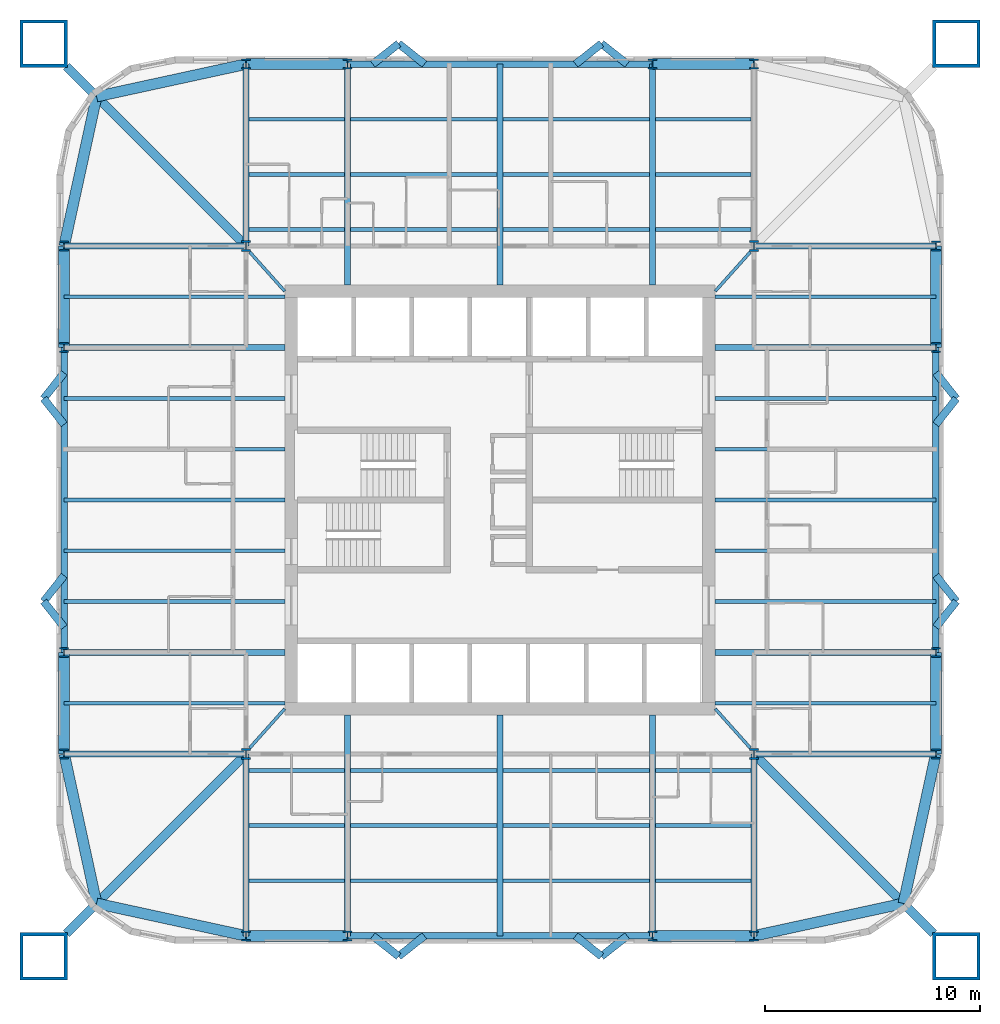
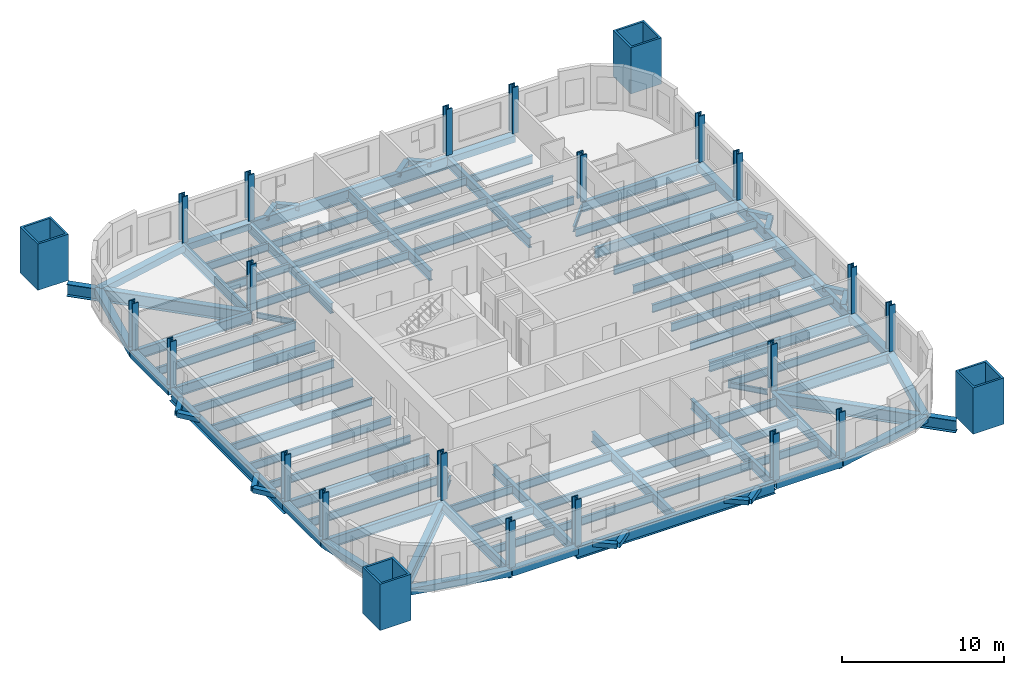
# One storey, part 1 of 9: 96 beams, 24 columns.
"""IFC4 building model written with IfcOpenShell, lengths in metres."""

import ifcopenshell
import ifcopenshell.guid

model = None  # the IFC model being written
_history = None  # IfcOwnerHistory: only IFC2X3 demands one
_inside = {}  # id of a spatial element -> (the spatial element, [elements in it])
_under = {}  # id of a project, library or spatial element -> (it, [spatial elements below it])
_declared = {}  # id of a project -> (the project, [libraries it declares])
_typed = {}  # id of a type object -> (the type object, [elements of that type])
_made_of = {}  # id of a material, layer set ... -> (it, [elements and type objects made of it])


def new_model(schema):
    """Start an empty IFC model of exactly this schema.

    Asked for "IFC4X3", IfcOpenShell would pick the latest addendum, in which some entities
    have other attributes; the version numbers below select the first issue.
    IFC2X3 requires an IfcOwnerHistory on every rooted entity: one is made here for all.
    """
    global model, _history
    if schema == "IFC4X3":
        model = ifcopenshell.file(schema_version=(4, 3, 0, 0))
    else:
        model = ifcopenshell.file(schema=schema)
    _inside.clear()
    _under.clear()
    _declared.clear()
    _typed.clear()
    _made_of.clear()
    _history = None
    if model.schema == "IFC2X3":
        org = make("IfcOrganization", Name="unknown")
        user = make(
            "IfcPersonAndOrganization",
            ThePerson=make("IfcPerson", FamilyName="unknown"),
            TheOrganization=org,
        )
        app = make(
            "IfcApplication",
            ApplicationDeveloper=org,
            Version="unknown",
            ApplicationFullName="unknown",
            ApplicationIdentifier="unknown",
        )
        _history = make(
            "IfcOwnerHistory",
            OwningUser=user,
            OwningApplication=app,
            ChangeAction="ADDED",
            CreationDate=0,
        )
    return model


def make(cls, **values):
    """One entity of the class cls with the attributes given. An attribute that is None is left unset."""
    return model.create_entity(
        cls, **{name: value for name, value in values.items() if value is not None}
    )


def rooted(cls, **values):
    """An entity with a GlobalId (a new one), such as an element, a storey or a relation."""
    return make(cls, GlobalId=ifcopenshell.guid.new(), OwnerHistory=_history, **values)


def si_unit(unit_type, name, prefix=None):
    """IfcSIUnit, for example si_unit("LENGTHUNIT", "METRE", prefix="MILLI")."""
    return make("IfcSIUnit", UnitType=unit_type, Prefix=prefix, Name=name)


def assignment(units):
    """IfcUnitAssignment: the units of a project."""
    return None if units is None else make("IfcUnitAssignment", Units=units)


def point(xyz):
    """IfcCartesianPoint."""
    return None if xyz is None else make("IfcCartesianPoint", Coordinates=xyz)


def direction(xyz):
    """IfcDirection."""
    return None if xyz is None else make("IfcDirection", DirectionRatios=xyz)


def frame(location, z_axis=None, x_axis=None):
    """IfcAxis2Placement3D, a coordinate frame: its origin and axes. An axis left out is left unset."""
    return make(
        "IfcAxis2Placement3D",
        Location=point(location),
        Axis=direction(z_axis),
        RefDirection=direction(x_axis),
    )


def frame_2d(location, x_axis=None):
    """IfcAxis2Placement2D, a coordinate frame in the plane: its origin and x axis."""
    return make(
        "IfcAxis2Placement2D", Location=point(location), RefDirection=direction(x_axis)
    )


def origin():
    """The frame at (0, 0, 0) with its axes left unset."""
    return frame((0.0, 0.0, 0.0))


def origin_2d():
    """The frame at (0, 0) in the plane with its x axis left unset."""
    return frame_2d((0.0, 0.0))


def place(relative_to, where):
    """IfcLocalPlacement: puts the frame where relative to a parent placement (None: the world)."""
    return make(
        "IfcLocalPlacement", PlacementRelTo=relative_to, RelativePlacement=where
    )


def context(
    kind, dimensions, precision=None, world=None, true_north=None, identifier=None
):
    """IfcGeometricRepresentationContext, for example the 3D "Model" context."""
    return make(
        "IfcGeometricRepresentationContext",
        ContextIdentifier=identifier,
        ContextType=kind,
        CoordinateSpaceDimension=dimensions,
        Precision=precision,
        WorldCoordinateSystem=world,
        TrueNorth=true_north,
    )


def subcontext(parent, identifier, kind, view, scale=None):
    """IfcGeometricRepresentationSubContext, for example "Body" below "Model"."""
    return make(
        "IfcGeometricRepresentationSubContext",
        ContextIdentifier=identifier,
        ContextType=kind,
        ParentContext=parent,
        TargetScale=scale,
        TargetView=view,
    )


def project(units=None, contexts=None):
    """IfcProject with its units and contexts."""
    return rooted(
        "IfcProject",
        Name="project",
        RepresentationContexts=contexts,
        UnitsInContext=assignment(units),
    )


def spatial(cls, under=None, at=None, **own):
    """A site, building, storey or space (cls), placed at a placement, below another one or the project."""
    s = rooted(cls, ObjectPlacement=at, **own)
    if under is not None:
        _under.setdefault(under.id(), (under, []))[1].append(s)
    return s


def profile(cls, at=None, kind="AREA", **sizes):
    """A parametric profile (cls). Its sizes go by their IFC names, for example OverallWidth=200.0."""
    return make(cls, ProfileType=kind, Position=at, **sizes)


def hollow_rectangle(**sizes):
    """IfcRectangleHollowProfileDef."""
    return profile("IfcRectangleHollowProfileDef", **sizes)


def i_section(**sizes):
    """IfcIShapeProfileDef."""
    return profile("IfcIShapeProfileDef", **sizes)


def extrude(swept, where, along, depth):
    """IfcExtrudedAreaSolid: the profile swept, set in the frame where, extruded along a direction by depth."""
    return make(
        "IfcExtrudedAreaSolid",
        SweptArea=swept,
        Position=where,
        ExtrudedDirection=direction(along),
        Depth=depth,
    )


def shape(context_of_items, identifier, shape_type, items):
    """IfcShapeRepresentation: the items that make up one representation, for example the "Body"."""
    return make(
        "IfcShapeRepresentation",
        ContextOfItems=context_of_items,
        RepresentationIdentifier=identifier,
        RepresentationType=shape_type,
        Items=items,
    )


def material(Name=None, Category=None):
    """IfcMaterial."""
    return make("IfcMaterial", Name=Name, Category=Category)


def material_profile(
    of_material, cross_section, Name=None, Category=None, Priority=None
):
    """IfcMaterialProfile: a cross section and its material."""
    return make(
        "IfcMaterialProfile",
        Name=Name,
        Material=of_material,
        Profile=cross_section,
        Priority=Priority,
        Category=Category,
    )


def profile_set(profiles, Name=None, composite=None):
    """IfcMaterialProfileSet."""
    return make(
        "IfcMaterialProfileSet",
        Name=Name,
        MaterialProfiles=profiles,
        CompositeProfile=composite,
    )


def made_of(thing, what):
    """Note that an element or type object is made of a material, layer set ...; save() writes the relation."""
    if what is not None:
        _made_of.setdefault(what.id(), (what, []))[1].append(thing)
    return thing


def type_object(cls, material=None, **own):
    """A type object (cls), such as IfcWallType, which elements share."""
    return made_of(rooted(cls, **own), material)


def element(
    cls,
    number,
    at=None,
    inside=None,
    cuts=None,
    type_object=None,
    material=None,
    context=None,
    identifier="Body",
    shape_type=None,
    held_by="IfcProductDefinitionShape",
    body=None,
    shapes=None,
    **own,
):
    """One element of the class cls, such as IfcWall. Its Tag is "e" and its number.

    at: its placement. inside: the storey or other place that contains it. cuts: it is an
    opening in that element (IfcRelVoidsElement). A single representation is given by context,
    identifier, shape_type and body (its items); several are given by shapes. held_by: the class
    of the entity that holds the representations. save() writes the other relations.
    """
    e = rooted(cls, Tag="e%d" % number, ObjectPlacement=at, **own)
    if body is not None:
        shapes = [shape(context, identifier, shape_type, body)]
    if shapes is not None:
        e.Representation = make(held_by, Representations=shapes)
    if inside is not None:
        _inside.setdefault(inside.id(), (inside, []))[1].append(e)
    if cuts is not None:
        rooted(
            "IfcRelVoidsElement", RelatingBuildingElement=cuts, RelatedOpeningElement=e
        )
    if type_object is not None:
        _typed.setdefault(type_object.id(), (type_object, []))[1].append(e)
    return made_of(e, material)


def aggregate(whole, parts):
    """IfcRelAggregates: a whole, such as a stair, and the parts it consists of."""
    return rooted("IfcRelAggregates", RelatingObject=whole, RelatedObjects=parts)


def save(model, path):
    """Write the relations noted so far, then the file.

    IfcRelAggregates (storeys below a building ...), IfcRelContainedInSpatialStructure (elements
    in a storey), IfcRelDefinesByType, IfcRelAssociatesMaterial and IfcRelDeclares: one each for
    every whole, place, type object, material and project.
    """
    for whole, parts in _under.values():
        aggregate(whole, parts)
    for where, things in _inside.values():
        rooted(
            "IfcRelContainedInSpatialStructure",
            RelatedElements=things,
            RelatingStructure=where,
        )
    for kind, things in _typed.values():
        rooted("IfcRelDefinesByType", RelatedObjects=things, RelatingType=kind)
    for what, things in _made_of.values():
        rooted("IfcRelAssociatesMaterial", RelatedObjects=things, RelatingMaterial=what)
    for by, libraries in _declared.values():
        rooted("IfcRelDeclares", RelatingContext=by, RelatedDefinitions=libraries)
    model.write(path)


model = new_model("IFC4")

# Units and contexts
model_context = context("Model", 3, precision=1e-05, world=origin(), true_north=direction((0.0, 1.0)))
body_context = subcontext(model_context, "Body", "Model", "MODEL_VIEW")
ifc_project = project(units=[si_unit("LENGTHUNIT", "METRE"), si_unit("AREAUNIT", "SQUARE_METRE"), si_unit("VOLUMEUNIT", "CUBIC_METRE"), si_unit("PLANEANGLEUNIT", "RADIAN"), si_unit("MASSUNIT", "GRAM", prefix="KILO")], contexts=[model_context])

# Site, building, storey
site_placement = place(None, origin())
site = spatial("IfcSite", under=ifc_project, at=site_placement, CompositionType="ELEMENT")
building_placement = place(site_placement, origin())
building = spatial("IfcBuilding", under=site, at=building_placement, Name="Turquesa Mirador Hotel Tower", CompositionType="ELEMENT")
storey_placement = place(building_placement, frame((0.0, 0.0, 117.89990234375)))
storey = spatial("IfcBuildingStorey", under=building, at=storey_placement, Name="L31", CompositionType="ELEMENT", Elevation=117.89990234375)

# Columns
ifc_material_1 = material(Name="Steel ASTM A992 Grade 50", Category="steel")
ifc_material_profile_1 = material_profile(ifc_material_1, i_section(OverallWidth=0.421630859375, OverallDepth=0.46484375, WebThickness=0.044921875, FlangeThickness=0.072509765625, at=origin_2d()), Name="W14X398")
ifc_profile_set_1 = profile_set([ifc_material_profile_1], Name="Steel ASTM A992 Grade 50")
column_type_1 = type_object("IfcColumnType", Name="COLUMN W14X398", PredefinedType="COLUMN", material=ifc_profile_set_1)
for number, where, z_axis, x_axis, name in (
    (1, (34.75, 33.199951171875, 0.0), (0.0, 0.0, 1.0), (1.0, 0.0, 0.0), "COL-L31-P--20.25--11.80"),
    (2, (34.75, 37.919921875, 0.0), (0.0, 0.0, 1.0), (1.0, 0.0, 0.0), "COL-L31-P--20.25--7.08"),
    (3, (34.75, 52.080078125, 0.0), (0.0, 0.0, 1.0), (1.0, 0.0, 0.0), "COL-L31-P--20.25-+7.08"),
    (4, (34.75, 56.800048828125, 0.0), (0.0, 0.0, 1.0), (1.0, 0.0, 0.0), "COL-L31-P--20.25-+11.80"),
    (5, (43.199951171875, 24.75, 0.0), (0.0, 0.0, 1.0), (1.0, 0.0, 0.0), "COL-L31-P--11.80--20.25"),
    (6, (43.199951171875, 65.25, 0.0), (0.0, 0.0, 1.0), (1.0, 0.0, 0.0), "COL-L31-P--11.80-+20.25"),
    (7, (47.919921875, 24.75, 0.0), (0.0, 0.0, 1.0), (1.0, 0.0, 0.0), "COL-L31-P--7.08--20.25"),
    (8, (47.919921875, 65.25, 0.0), (0.0, 0.0, 1.0), (1.0, 0.0, 0.0), "COL-L31-P--7.08-+20.25"),
    (9, (62.080078125, 24.75, 0.0), (0.0, 0.0, 1.0), (1.0, 0.0, 0.0), "COL-L31-P-+7.08--20.25"),
    (10, (62.080078125, 65.25, 0.0), (0.0, 0.0, 1.0), (1.0, 0.0, 0.0), "COL-L31-P-+7.08-+20.25"),
    (11, (66.800048828125, 24.75, 0.0), (0.0, 0.0, 1.0), (1.0, 0.0, 0.0), "COL-L31-P-+11.80--20.25"),
    (12, (66.800048828125, 65.25, 0.0), (0.0, 0.0, 1.0), (1.0, 0.0, 0.0), "COL-L31-P-+11.80-+20.25"),
    (13, (75.25, 33.199951171875, 0.0), (0.0, 0.0, 1.0), (1.0, 0.0, 0.0), "COL-L31-P-+20.25--11.80"),
    (14, (75.25, 37.919921875, 0.0), (0.0, 0.0, 1.0), (1.0, 0.0, 0.0), "COL-L31-P-+20.25--7.08"),
    (15, (75.25, 52.080078125, 0.0), (0.0, 0.0, 1.0), (1.0, 0.0, 0.0), "COL-L31-P-+20.25-+7.08"),
    (16, (75.25, 56.800048828125, 0.0), (0.0, 0.0, 1.0), (1.0, 0.0, 0.0), "COL-L31-P-+20.25-+11.80"),
):
    element("IfcColumn", number, at=place(storey_placement, frame(where, z_axis=z_axis, x_axis=x_axis)), inside=storey, type_object=column_type_1, Name=name, PredefinedType="COLUMN", context=body_context, shape_type="SweptSolid", body=[
        extrude(i_section(OverallWidth=0.421630859375, OverallDepth=0.46484375, WebThickness=0.044921875, FlangeThickness=0.072509765625, at=origin_2d()), origin(), (0.0, 0.0, 1.0), 3.5),
    ])
ifc_material_2 = material(Name="Steel ASTM A992 Grade 50", Category="steel")
ifc_material_profile_2 = material_profile(ifc_material_2, i_section(OverallWidth=0.431884765625, OverallDepth=0.497802734375, WebThickness=0.0556640625, FlangeThickness=0.0888671875, at=origin_2d()), Name="W14X500")
ifc_profile_set_2 = profile_set([ifc_material_profile_2], Name="Steel ASTM A992 Grade 50")
column_type_2 = type_object("IfcColumnType", Name="COLUMN W14X500", PredefinedType="COLUMN", material=ifc_profile_set_2)
for number, where, z_axis, x_axis, name in (
    (17, (43.199951171875, 33.199951171875, 0.0), (0.0, 0.0, 1.0), (1.0, 0.0, 0.0), "COL-L31-K--11.80--11.80"),
    (18, (43.199951171875, 56.800048828125, 0.0), (0.0, 0.0, 1.0), (1.0, 0.0, 0.0), "COL-L31-K--11.80-+11.80"),
    (19, (66.800048828125, 33.199951171875, 0.0), (0.0, 0.0, 1.0), (1.0, 0.0, 0.0), "COL-L31-K-+11.80--11.80"),
    (20, (66.800048828125, 56.800048828125, 0.0), (0.0, 0.0, 1.0), (1.0, 0.0, 0.0), "COL-L31-K-+11.80-+11.80"),
):
    element("IfcColumn", number, at=place(storey_placement, frame(where, z_axis=z_axis, x_axis=x_axis)), inside=storey, type_object=column_type_2, Name=name, PredefinedType="COLUMN", context=body_context, shape_type="SweptSolid", body=[
        extrude(i_section(OverallWidth=0.431884765625, OverallDepth=0.497802734375, WebThickness=0.0556640625, FlangeThickness=0.0888671875, at=origin_2d()), origin(), (0.0, 0.0, 1.0), 3.5),
    ])
ifc_material_3 = material(Name="Steel ASTM A514 Grade Q", Category="steel")
ifc_material_profile_3 = material_profile(ifc_material_3, hollow_rectangle(XDim=2.199951171875, YDim=2.199951171875, WallThickness=0.14990234375, at=origin_2d()), Name="BOX2200X2200X150")
ifc_profile_set_3 = profile_set([ifc_material_profile_3], Name="Steel ASTM A514 Grade Q")
column_type_3 = type_object("IfcColumnType", Name="MEGA COLUMN BOX2200X2200X150", PredefinedType="COLUMN", material=ifc_profile_set_3)
for number, where, z_axis, x_axis, name in (
    (21, (76.199951171875, 66.199951171875, 0.0), (0.0, 0.0, 1.0), (1.0, 0.0, 0.0), "Mega column M1"),
    (22, (33.800048828125, 66.199951171875, 0.0), (0.0, 0.0, 1.0), (1.0, 0.0, 0.0), "Mega column M2"),
    (23, (33.800048828125, 23.800048828125, 0.0), (0.0, 0.0, 1.0), (1.0, 0.0, 0.0), "Mega column M3"),
    (24, (76.199951171875, 23.800048828125, 0.0), (0.0, 0.0, 1.0), (1.0, 0.0, 0.0), "Mega column M4"),
):
    element("IfcColumn", number, at=place(storey_placement, frame(where, z_axis=z_axis, x_axis=x_axis)), inside=storey, type_object=column_type_3, Name=name, PredefinedType="COLUMN", context=body_context, shape_type="SweptSolid", body=[
        extrude(hollow_rectangle(XDim=2.199951171875, YDim=2.199951171875, WallThickness=0.14990234375, at=origin_2d()), origin(), (0.0, 0.0, 1.0), 3.5),
    ])

# Beams
ifc_material_4 = material(Name="Steel ASTM A572 Grade 50", Category="steel")
ifc_material_profile_4 = material_profile(ifc_material_4, hollow_rectangle(XDim=0.5, YDim=0.5, WallThickness=0.01611328125, at=origin_2d()), Name="BOX500X500X16")
ifc_profile_set_4 = profile_set([ifc_material_profile_4], Name="Steel ASTM A572 Grade 50")
beam_type_1 = type_object("IfcBeamType", Name="BEAM BOX500X500X16", PredefinedType="BEAM", material=ifc_profile_set_4)
for number, where, z_axis, x_axis, name in (
    (25, (43.199951171875, 65.25, -0.419921875), (1.0, 0.0, 0.0), (0.0, 1.0, 0.0), "EB-L31-N-L"),
    (26, (62.080078125, 65.25, -0.419921875), (1.0, 0.0, 0.0), (0.0, 1.0, 0.0), "EB-L31-N-R"),
    (27, (43.199951171875, 24.75, -0.419921875), (1.0, 0.0, 0.0), (0.0, 1.0, 0.0), "EB-L31-S-L"),
    (28, (62.080078125, 24.75, -0.419921875), (1.0, 0.0, 0.0), (0.0, 1.0, 0.0), "EB-L31-S-R"),
    (29, (75.25, 33.199951171875, -0.419921875), (0.0, 1.0, 0.0), (-1.0, 0.0, 0.0), "EB-L31-E-L"),
    (30, (75.25, 52.080078125, -0.419921875), (0.0, 1.0, 0.0), (-1.0, 0.0, 0.0), "EB-L31-E-R"),
    (31, (34.75, 33.199951171875, -0.419921875), (0.0, 1.0, 0.0), (-1.0, 0.0, 0.0), "EB-L31-W-L"),
    (32, (34.75, 52.080078125, -0.419921875), (0.0, 1.0, 0.0), (-1.0, 0.0, 0.0), "EB-L31-W-R"),
):
    element("IfcBeam", number, at=place(storey_placement, frame(where, z_axis=z_axis, x_axis=x_axis)), inside=storey, type_object=beam_type_1, Name=name, PredefinedType="BEAM", context=body_context, shape_type="SweptSolid", body=[
        extrude(hollow_rectangle(XDim=0.5, YDim=0.5, WallThickness=0.01611328125, at=origin_2d()), origin(), (0.0, 0.0, 1.0), 4.719970703125),
    ])
for number, where, z_axis, x_axis, name in (
    (33, (34.75, 56.800048828125, -0.419921875), (0.212328336885, 0.977198381781, 0.0), (-0.977198381781, 0.212328336885, 0.0), "KE-L31-2-0"),
    (34, (36.25830078125, 63.74169921875, -0.419921875), (0.977198381781, 0.212328336885, 0.0), (-0.212328336885, 0.977198381781, 0.0), "KE-L31-2-1"),
    (35, (34.75, 33.199951171875, -0.419921875), (0.212328336885, -0.977198381781, 0.0), (0.977198381781, 0.212328336885, 0.0), "KE-L31-3-0"),
    (36, (36.25830078125, 26.25830078125, -0.419921875), (0.977198381781, -0.212328336885, 0.0), (0.212328336885, 0.977198381781, 0.0), "KE-L31-3-1"),
    (37, (75.25, 33.199951171875, -0.419921875), (-0.212328336885, -0.977198381781, 0.0), (0.977198381781, -0.212328336885, 0.0), "KE-L31-4-0"),
    (38, (73.74169921875, 26.25830078125, -0.419921875), (-0.977198381781, -0.212328336885, 0.0), (0.212328336885, -0.977198381781, 0.0), "KE-L31-4-1"),
):
    element("IfcBeam", number, at=place(storey_placement, frame(where, z_axis=z_axis, x_axis=x_axis)), inside=storey, type_object=beam_type_1, Name=name, PredefinedType="BEAM", context=body_context, shape_type="SweptSolid", body=[
        extrude(hollow_rectangle(XDim=0.5, YDim=0.5, WallThickness=0.01611328125, at=origin_2d()), origin(), (0.0, 0.0, 1.0), 7.103515625),
    ])
ifc_material_5 = material(Name="Steel ASTM A992 Grade 50", Category="steel")
ifc_material_profile_5 = material_profile(ifc_material_5, i_section(OverallWidth=0.140380859375, OverallDepth=0.40380859375, WebThickness=0.007080078125, FlangeThickness=0.01123046875, at=origin_2d()), Name="W16X31")
ifc_profile_set_5 = profile_set([ifc_material_profile_5], Name="Steel ASTM A992 Grade 50")
beam_type_2 = type_object("IfcBeamType", Name="BEAM W16X31", PredefinedType="BEAM", material=ifc_profile_set_5)
for number, where, z_axis, x_axis, name in (
    (39, (66.626953125, 56.518310546875, -0.371826171875), (-0.66679485947, -0.745241313525, 0.0), (0.745241313525, -0.66679485947, 0.0), "KT-L31-1"),
    (40, (43.373046875, 56.518310546875, -0.371826171875), (0.66679485947, -0.745241313525, 0.0), (0.745241313525, 0.66679485947, 0.0), "KT-L31-2"),
    (41, (43.373046875, 33.481689453125, -0.371826171875), (0.66679485947, 0.745241313525, 0.0), (-0.745241313525, 0.66679485947, 0.0), "KT-L31-3"),
    (42, (66.626953125, 33.481689453125, -0.371826171875), (-0.66679485947, 0.745241313525, 0.0), (-0.745241313525, -0.66679485947, 0.0), "KT-L31-4"),
):
    element("IfcBeam", number, at=place(storey_placement, frame(where, z_axis=z_axis, x_axis=x_axis)), inside=storey, type_object=beam_type_2, Name=name, PredefinedType="BEAM", context=body_context, shape_type="SweptSolid", body=[
        extrude(i_section(OverallWidth=0.140380859375, OverallDepth=0.40380859375, WebThickness=0.007080078125, FlangeThickness=0.01123046875, at=origin_2d()), origin(), (0.0, 0.0, 1.0), 2.43994140625),
    ])
ifc_material_6 = material(Name="Steel ASTM A992 Grade 50", Category="steel")
ifc_material_profile_6 = material_profile(ifc_material_6, i_section(OverallWidth=0.177978515625, OverallDepth=0.599365234375, WebThickness=0.010009765625, FlangeThickness=0.012939453125, at=origin_2d()), Name="W24X55")
ifc_profile_set_6 = profile_set([ifc_material_profile_6], Name="Steel ASTM A992 Grade 50")
beam_type_3 = type_object("IfcBeamType", Name="BEAM W24X55", PredefinedType="BEAM", material=ifc_profile_set_6)
beam_1_placement = place(storey_placement, frame((43.333251953125, 57.56201171875, -0.4697265625), z_axis=(1.0, 0.0, 0.0), x_axis=(0.0, 1.0, 0.0)))
element("IfcBeam", 43, at=beam_1_placement, inside=storey, type_object=beam_type_3, Name="IB-L31-N-1-0", PredefinedType="BEAM", context=body_context, shape_type="SweptSolid", body=[
    extrude(i_section(OverallWidth=0.177978515625, OverallDepth=0.599365234375, WebThickness=0.010009765625, FlangeThickness=0.012939453125, at=origin_2d()), origin(), (0.0, 0.0, 1.0), 4.453369140625),
])
for number, where, z_axis, x_axis, name in (
    (44, (48.053466796875, 57.56201171875, -0.4697265625), (1.0, 0.0, 0.0), (0.0, 1.0, 0.0), "IB-L31-N-1-1"),
    (45, (55.13330078125, 57.56201171875, -0.4697265625), (1.0, 0.0, 0.0), (0.0, 1.0, 0.0), "IB-L31-N-1-2"),
):
    element("IfcBeam", number, at=place(storey_placement, frame(where, z_axis=z_axis, x_axis=x_axis)), inside=storey, type_object=beam_type_3, Name=name, PredefinedType="BEAM", context=body_context, shape_type="SweptSolid", body=[
        extrude(i_section(OverallWidth=0.177978515625, OverallDepth=0.599365234375, WebThickness=0.010009765625, FlangeThickness=0.012939453125, at=origin_2d()), origin(), (0.0, 0.0, 1.0), 6.813232421875),
    ])
for number, where, z_axis, x_axis, name in (
    (46, (62.21337890625, 57.56201171875, -0.4697265625), (1.0, 0.0, 0.0), (0.0, 1.0, 0.0), "IB-L31-N-1-3"),
    (47, (43.333251953125, 60.125, -0.4697265625), (1.0, 0.0, 0.0), (0.0, 1.0, 0.0), "IB-L31-N-2-0"),
):
    element("IfcBeam", number, at=place(storey_placement, frame(where, z_axis=z_axis, x_axis=x_axis)), inside=storey, type_object=beam_type_3, Name=name, PredefinedType="BEAM", context=body_context, shape_type="SweptSolid", body=[
        extrude(i_section(OverallWidth=0.177978515625, OverallDepth=0.599365234375, WebThickness=0.010009765625, FlangeThickness=0.012939453125, at=origin_2d()), origin(), (0.0, 0.0, 1.0), 4.453369140625),
    ])
for number, where, z_axis, x_axis, name in (
    (48, (48.053466796875, 60.125, -0.4697265625), (1.0, 0.0, 0.0), (0.0, 1.0, 0.0), "IB-L31-N-2-1"),
    (49, (55.13330078125, 60.125, -0.4697265625), (1.0, 0.0, 0.0), (0.0, 1.0, 0.0), "IB-L31-N-2-2"),
):
    element("IfcBeam", number, at=place(storey_placement, frame(where, z_axis=z_axis, x_axis=x_axis)), inside=storey, type_object=beam_type_3, Name=name, PredefinedType="BEAM", context=body_context, shape_type="SweptSolid", body=[
        extrude(i_section(OverallWidth=0.177978515625, OverallDepth=0.599365234375, WebThickness=0.010009765625, FlangeThickness=0.012939453125, at=origin_2d()), origin(), (0.0, 0.0, 1.0), 6.813232421875),
    ])
for number, where, z_axis, x_axis, name in (
    (50, (62.21337890625, 60.125, -0.4697265625), (1.0, 0.0, 0.0), (0.0, 1.0, 0.0), "IB-L31-N-2-3"),
    (51, (43.333251953125, 62.68798828125, -0.4697265625), (1.0, 0.0, 0.0), (0.0, 1.0, 0.0), "IB-L31-N-3-0"),
):
    element("IfcBeam", number, at=place(storey_placement, frame(where, z_axis=z_axis, x_axis=x_axis)), inside=storey, type_object=beam_type_3, Name=name, PredefinedType="BEAM", context=body_context, shape_type="SweptSolid", body=[
        extrude(i_section(OverallWidth=0.177978515625, OverallDepth=0.599365234375, WebThickness=0.010009765625, FlangeThickness=0.012939453125, at=origin_2d()), origin(), (0.0, 0.0, 1.0), 4.453369140625),
    ])
for number, where, z_axis, x_axis, name in (
    (52, (48.053466796875, 62.68798828125, -0.4697265625), (1.0, 0.0, 0.0), (0.0, 1.0, 0.0), "IB-L31-N-3-1"),
    (53, (55.13330078125, 62.68798828125, -0.4697265625), (1.0, 0.0, 0.0), (0.0, 1.0, 0.0), "IB-L31-N-3-2"),
):
    element("IfcBeam", number, at=place(storey_placement, frame(where, z_axis=z_axis, x_axis=x_axis)), inside=storey, type_object=beam_type_3, Name=name, PredefinedType="BEAM", context=body_context, shape_type="SweptSolid", body=[
        extrude(i_section(OverallWidth=0.177978515625, OverallDepth=0.599365234375, WebThickness=0.010009765625, FlangeThickness=0.012939453125, at=origin_2d()), origin(), (0.0, 0.0, 1.0), 6.813232421875),
    ])
for number, where, z_axis, x_axis, name in (
    (54, (62.21337890625, 62.68798828125, -0.4697265625), (1.0, 0.0, 0.0), (0.0, 1.0, 0.0), "IB-L31-N-3-3"),
    (55, (43.333251953125, 32.43798828125, -0.4697265625), (1.0, 0.0, 0.0), (0.0, 1.0, 0.0), "IB-L31-S-1-0"),
):
    element("IfcBeam", number, at=place(storey_placement, frame(where, z_axis=z_axis, x_axis=x_axis)), inside=storey, type_object=beam_type_3, Name=name, PredefinedType="BEAM", context=body_context, shape_type="SweptSolid", body=[
        extrude(i_section(OverallWidth=0.177978515625, OverallDepth=0.599365234375, WebThickness=0.010009765625, FlangeThickness=0.012939453125, at=origin_2d()), origin(), (0.0, 0.0, 1.0), 4.453369140625),
    ])
for number, where, z_axis, x_axis, name in (
    (56, (48.053466796875, 32.43798828125, -0.4697265625), (1.0, 0.0, 0.0), (0.0, 1.0, 0.0), "IB-L31-S-1-1"),
    (57, (55.13330078125, 32.43798828125, -0.4697265625), (1.0, 0.0, 0.0), (0.0, 1.0, 0.0), "IB-L31-S-1-2"),
):
    element("IfcBeam", number, at=place(storey_placement, frame(where, z_axis=z_axis, x_axis=x_axis)), inside=storey, type_object=beam_type_3, Name=name, PredefinedType="BEAM", context=body_context, shape_type="SweptSolid", body=[
        extrude(i_section(OverallWidth=0.177978515625, OverallDepth=0.599365234375, WebThickness=0.010009765625, FlangeThickness=0.012939453125, at=origin_2d()), origin(), (0.0, 0.0, 1.0), 6.813232421875),
    ])
for number, where, z_axis, x_axis, name in (
    (58, (62.21337890625, 32.43798828125, -0.4697265625), (1.0, 0.0, 0.0), (0.0, 1.0, 0.0), "IB-L31-S-1-3"),
    (59, (43.333251953125, 29.875, -0.4697265625), (1.0, 0.0, 0.0), (0.0, 1.0, 0.0), "IB-L31-S-2-0"),
):
    element("IfcBeam", number, at=place(storey_placement, frame(where, z_axis=z_axis, x_axis=x_axis)), inside=storey, type_object=beam_type_3, Name=name, PredefinedType="BEAM", context=body_context, shape_type="SweptSolid", body=[
        extrude(i_section(OverallWidth=0.177978515625, OverallDepth=0.599365234375, WebThickness=0.010009765625, FlangeThickness=0.012939453125, at=origin_2d()), origin(), (0.0, 0.0, 1.0), 4.453369140625),
    ])
for number, where, z_axis, x_axis, name in (
    (60, (48.053466796875, 29.875, -0.4697265625), (1.0, 0.0, 0.0), (0.0, 1.0, 0.0), "IB-L31-S-2-1"),
    (61, (55.13330078125, 29.875, -0.4697265625), (1.0, 0.0, 0.0), (0.0, 1.0, 0.0), "IB-L31-S-2-2"),
):
    element("IfcBeam", number, at=place(storey_placement, frame(where, z_axis=z_axis, x_axis=x_axis)), inside=storey, type_object=beam_type_3, Name=name, PredefinedType="BEAM", context=body_context, shape_type="SweptSolid", body=[
        extrude(i_section(OverallWidth=0.177978515625, OverallDepth=0.599365234375, WebThickness=0.010009765625, FlangeThickness=0.012939453125, at=origin_2d()), origin(), (0.0, 0.0, 1.0), 6.813232421875),
    ])
for number, where, z_axis, x_axis, name in (
    (62, (62.21337890625, 29.875, -0.4697265625), (1.0, 0.0, 0.0), (0.0, 1.0, 0.0), "IB-L31-S-2-3"),
    (63, (43.333251953125, 27.31201171875, -0.4697265625), (1.0, 0.0, 0.0), (0.0, 1.0, 0.0), "IB-L31-S-3-0"),
):
    element("IfcBeam", number, at=place(storey_placement, frame(where, z_axis=z_axis, x_axis=x_axis)), inside=storey, type_object=beam_type_3, Name=name, PredefinedType="BEAM", context=body_context, shape_type="SweptSolid", body=[
        extrude(i_section(OverallWidth=0.177978515625, OverallDepth=0.599365234375, WebThickness=0.010009765625, FlangeThickness=0.012939453125, at=origin_2d()), origin(), (0.0, 0.0, 1.0), 4.453369140625),
    ])
for number, where, z_axis, x_axis, name in (
    (64, (48.053466796875, 27.31201171875, -0.4697265625), (1.0, 0.0, 0.0), (0.0, 1.0, 0.0), "IB-L31-S-3-1"),
    (65, (55.13330078125, 27.31201171875, -0.4697265625), (1.0, 0.0, 0.0), (0.0, 1.0, 0.0), "IB-L31-S-3-2"),
):
    element("IfcBeam", number, at=place(storey_placement, frame(where, z_axis=z_axis, x_axis=x_axis)), inside=storey, type_object=beam_type_3, Name=name, PredefinedType="BEAM", context=body_context, shape_type="SweptSolid", body=[
        extrude(i_section(OverallWidth=0.177978515625, OverallDepth=0.599365234375, WebThickness=0.010009765625, FlangeThickness=0.012939453125, at=origin_2d()), origin(), (0.0, 0.0, 1.0), 6.813232421875),
    ])
beam_2_placement = place(storey_placement, frame((62.21337890625, 27.31201171875, -0.4697265625), z_axis=(1.0, 0.0, 0.0), x_axis=(0.0, 1.0, 0.0)))
element("IfcBeam", 66, at=beam_2_placement, inside=storey, type_object=beam_type_3, Name="IB-L31-S-3-3", PredefinedType="BEAM", context=body_context, shape_type="SweptSolid", body=[
    extrude(i_section(OverallWidth=0.177978515625, OverallDepth=0.599365234375, WebThickness=0.010009765625, FlangeThickness=0.012939453125, at=origin_2d()), origin(), (0.0, 0.0, 1.0), 4.453369140625),
])
for number, where, z_axis, x_axis, name in (
    (67, (75.25, 35.56005859375, -0.4697265625), (-1.0, 0.0, 0.0), (0.0, -1.0, 0.0), "BM-L31-E--9.44"),
    (68, (75.25, 40.280029296875, -0.4697265625), (-1.0, 0.0, 0.0), (0.0, -1.0, 0.0), "BM-L31-E--4.72"),
    (69, (75.25, 42.639892578125, -0.4697265625), (-1.0, 0.0, 0.0), (0.0, -1.0, 0.0), "BM-L31-E--2.36"),
    (70, (75.25, 45.0, -0.4697265625), (-1.0, 0.0, 0.0), (0.0, -1.0, 0.0), "BM-L31-E-+0.00"),
    (71, (75.25, 47.360107421875, -0.4697265625), (-1.0, 0.0, 0.0), (0.0, -1.0, 0.0), "BM-L31-E-+2.36"),
    (72, (75.25, 49.719970703125, -0.4697265625), (-1.0, 0.0, 0.0), (0.0, -1.0, 0.0), "BM-L31-E-+4.72"),
    (73, (75.25, 54.43994140625, -0.4697265625), (-1.0, 0.0, 0.0), (0.0, -1.0, 0.0), "BM-L31-E-+9.44"),
    (74, (34.75, 35.56005859375, -0.4697265625), (1.0, 0.0, 0.0), (0.0, 1.0, 0.0), "BM-L31-W--9.44"),
    (75, (34.75, 40.280029296875, -0.4697265625), (1.0, 0.0, 0.0), (0.0, 1.0, 0.0), "BM-L31-W--4.72"),
    (76, (34.75, 42.639892578125, -0.4697265625), (1.0, 0.0, 0.0), (0.0, 1.0, 0.0), "BM-L31-W--2.36"),
    (77, (34.75, 45.0, -0.4697265625), (1.0, 0.0, 0.0), (0.0, 1.0, 0.0), "BM-L31-W-+0.00"),
    (78, (34.75, 47.360107421875, -0.4697265625), (1.0, 0.0, 0.0), (0.0, 1.0, 0.0), "BM-L31-W-+2.36"),
    (79, (34.75, 49.719970703125, -0.4697265625), (1.0, 0.0, 0.0), (0.0, 1.0, 0.0), "BM-L31-W-+4.72"),
    (80, (34.75, 54.43994140625, -0.4697265625), (1.0, 0.0, 0.0), (0.0, 1.0, 0.0), "BM-L31-W-+9.44"),
):
    element("IfcBeam", number, at=place(storey_placement, frame(where, z_axis=z_axis, x_axis=x_axis)), inside=storey, type_object=beam_type_3, Name=name, PredefinedType="BEAM", context=body_context, shape_type="SweptSolid", body=[
        extrude(i_section(OverallWidth=0.177978515625, OverallDepth=0.599365234375, WebThickness=0.010009765625, FlangeThickness=0.012939453125, at=origin_2d()), origin(), (0.0, 0.0, 1.0), 10.25),
    ])
ifc_material_7 = material(Name="Steel ASTM A992 Grade 50", Category="steel")
ifc_material_profile_7 = material_profile(ifc_material_7, i_section(OverallWidth=0.2666015625, OverallDepth=0.7568359375, WebThickness=0.013916015625, FlangeThickness=0.019287109375, at=origin_2d()), Name="W30X108")
ifc_profile_set_7 = profile_set([ifc_material_profile_7], Name="Steel ASTM A992 Grade 50")
beam_type_4 = type_object("IfcBeamType", Name="BEAM W30X108", PredefinedType="BEAM", material=ifc_profile_set_7)
for number, where, z_axis, x_axis, name in (
    (81, (47.919921875, 65.25, -0.54833984375), (0.0, -1.0, 0.0), (1.0, 0.0, 0.0), "GD-L31-N--7.08"),
    (82, (62.080078125, 65.25, -0.54833984375), (0.0, -1.0, 0.0), (1.0, 0.0, 0.0), "GD-L31-N-+7.08"),
    (83, (55.0, 65.25, -0.54833984375), (0.0, -1.0, 0.0), (1.0, 0.0, 0.0), "GD-L31-N-+0.00"),
):
    element("IfcBeam", number, at=place(storey_placement, frame(where, z_axis=z_axis, x_axis=x_axis)), inside=storey, type_object=beam_type_4, Name=name, PredefinedType="BEAM", context=body_context, shape_type="SweptSolid", body=[
        extrude(i_section(OverallWidth=0.2666015625, OverallDepth=0.7568359375, WebThickness=0.013916015625, FlangeThickness=0.019287109375, at=origin_2d()), origin(), (0.0, 0.0, 1.0), 10.25),
    ])
beam_3_placement = place(storey_placement, frame((43.199951171875, 65.25, -0.54833984375), z_axis=(0.0, -1.0, 0.0), x_axis=(1.0, 0.0, 0.0)))
element("IfcBeam", 84, at=beam_3_placement, inside=storey, type_object=beam_type_4, Name="GK-L31-N--11.80", PredefinedType="BEAM", context=body_context, shape_type="SweptSolid", body=[
    extrude(i_section(OverallWidth=0.2666015625, OverallDepth=0.7568359375, WebThickness=0.013916015625, FlangeThickness=0.019287109375, at=origin_2d()), origin(), (0.0, 0.0, 1.0), 8.449951171875),
])
for number, where, z_axis, x_axis, name in (
    (85, (47.919921875, 24.75, -0.54833984375), (0.0, 1.0, 0.0), (-1.0, 0.0, 0.0), "GD-L31-S--7.08"),
    (86, (62.080078125, 24.75, -0.54833984375), (0.0, 1.0, 0.0), (-1.0, 0.0, 0.0), "GD-L31-S-+7.08"),
    (87, (55.0, 24.75, -0.54833984375), (0.0, 1.0, 0.0), (-1.0, 0.0, 0.0), "GD-L31-S-+0.00"),
):
    element("IfcBeam", number, at=place(storey_placement, frame(where, z_axis=z_axis, x_axis=x_axis)), inside=storey, type_object=beam_type_4, Name=name, PredefinedType="BEAM", context=body_context, shape_type="SweptSolid", body=[
        extrude(i_section(OverallWidth=0.2666015625, OverallDepth=0.7568359375, WebThickness=0.013916015625, FlangeThickness=0.019287109375, at=origin_2d()), origin(), (0.0, 0.0, 1.0), 10.25),
    ])
for number, where, z_axis, x_axis, name in (
    (88, (43.199951171875, 24.75, -0.54833984375), (0.0, 1.0, 0.0), (-1.0, 0.0, 0.0), "GK-L31-S--11.80"),
    (89, (66.800048828125, 24.75, -0.54833984375), (0.0, 1.0, 0.0), (-1.0, 0.0, 0.0), "GK-L31-S-+11.80"),
):
    element("IfcBeam", number, at=place(storey_placement, frame(where, z_axis=z_axis, x_axis=x_axis)), inside=storey, type_object=beam_type_4, Name=name, PredefinedType="BEAM", context=body_context, shape_type="SweptSolid", body=[
        extrude(i_section(OverallWidth=0.2666015625, OverallDepth=0.7568359375, WebThickness=0.013916015625, FlangeThickness=0.019287109375, at=origin_2d()), origin(), (0.0, 0.0, 1.0), 8.449951171875),
    ])
for number, where, z_axis, x_axis, name in (
    (90, (75.25, 37.919921875, -0.54833984375), (-1.0, 0.0, 0.0), (0.0, -1.0, 0.0), "GD-L31-E--7.08"),
    (91, (75.25, 52.080078125, -0.54833984375), (-1.0, 0.0, 0.0), (0.0, -1.0, 0.0), "GD-L31-E-+7.08"),
):
    element("IfcBeam", number, at=place(storey_placement, frame(where, z_axis=z_axis, x_axis=x_axis)), inside=storey, type_object=beam_type_4, Name=name, PredefinedType="BEAM", context=body_context, shape_type="SweptSolid", body=[
        extrude(i_section(OverallWidth=0.2666015625, OverallDepth=0.7568359375, WebThickness=0.013916015625, FlangeThickness=0.019287109375, at=origin_2d()), origin(), (0.0, 0.0, 1.0), 10.25),
    ])
for number, where, z_axis, x_axis, name in (
    (92, (75.25, 33.199951171875, -0.54833984375), (-1.0, 0.0, 0.0), (0.0, -1.0, 0.0), "GK-L31-E--11.80"),
    (93, (75.25, 56.800048828125, -0.54833984375), (-1.0, 0.0, 0.0), (0.0, -1.0, 0.0), "GK-L31-E-+11.80"),
):
    element("IfcBeam", number, at=place(storey_placement, frame(where, z_axis=z_axis, x_axis=x_axis)), inside=storey, type_object=beam_type_4, Name=name, PredefinedType="BEAM", context=body_context, shape_type="SweptSolid", body=[
        extrude(i_section(OverallWidth=0.2666015625, OverallDepth=0.7568359375, WebThickness=0.013916015625, FlangeThickness=0.019287109375, at=origin_2d()), origin(), (0.0, 0.0, 1.0), 8.449951171875),
    ])
for number, where, z_axis, x_axis, name in (
    (94, (34.75, 37.919921875, -0.54833984375), (1.0, 0.0, 0.0), (0.0, 1.0, 0.0), "GD-L31-W--7.08"),
    (95, (34.75, 52.080078125, -0.54833984375), (1.0, 0.0, 0.0), (0.0, 1.0, 0.0), "GD-L31-W-+7.08"),
):
    element("IfcBeam", number, at=place(storey_placement, frame(where, z_axis=z_axis, x_axis=x_axis)), inside=storey, type_object=beam_type_4, Name=name, PredefinedType="BEAM", context=body_context, shape_type="SweptSolid", body=[
        extrude(i_section(OverallWidth=0.2666015625, OverallDepth=0.7568359375, WebThickness=0.013916015625, FlangeThickness=0.019287109375, at=origin_2d()), origin(), (0.0, 0.0, 1.0), 10.25),
    ])
for number, where, z_axis, x_axis, name in (
    (96, (34.75, 33.199951171875, -0.54833984375), (1.0, 0.0, 0.0), (0.0, 1.0, 0.0), "GK-L31-W--11.80"),
    (97, (34.75, 56.800048828125, -0.54833984375), (1.0, 0.0, 0.0), (0.0, 1.0, 0.0), "GK-L31-W-+11.80"),
):
    element("IfcBeam", number, at=place(storey_placement, frame(where, z_axis=z_axis, x_axis=x_axis)), inside=storey, type_object=beam_type_4, Name=name, PredefinedType="BEAM", context=body_context, shape_type="SweptSolid", body=[
        extrude(i_section(OverallWidth=0.2666015625, OverallDepth=0.7568359375, WebThickness=0.013916015625, FlangeThickness=0.019287109375, at=origin_2d()), origin(), (0.0, 0.0, 1.0), 8.449951171875),
    ])
ifc_material_8 = material(Name="Steel ASTM A992 Grade 50", Category="steel")
ifc_material_profile_8 = material_profile(ifc_material_8, i_section(OverallWidth=0.3046875, OverallDepth=0.911865234375, WebThickness=0.015869140625, FlangeThickness=0.02392578125, at=origin_2d()), Name="W36X150")
ifc_profile_set_8 = profile_set([ifc_material_profile_8], Name="Steel ASTM A992 Grade 50")
beam_type_5 = type_object("IfcBeamType", Name="BEAM W36X150", PredefinedType="BEAM", material=ifc_profile_set_8)
for number, where, z_axis, x_axis, name in (
    (98, (47.919921875, 65.25, -0.625732421875), (1.0, 0.0, 0.0), (0.0, 1.0, 0.0), "EB-L31-N-C"),
    (99, (47.919921875, 24.75, -0.625732421875), (1.0, 0.0, 0.0), (0.0, 1.0, 0.0), "EB-L31-S-C"),
    (100, (75.25, 37.919921875, -0.625732421875), (0.0, 1.0, 0.0), (-1.0, 0.0, 0.0), "EB-L31-E-C"),
    (101, (34.75, 37.919921875, -0.625732421875), (0.0, 1.0, 0.0), (-1.0, 0.0, 0.0), "EB-L31-W-C"),
):
    element("IfcBeam", number, at=place(storey_placement, frame(where, z_axis=z_axis, x_axis=x_axis)), inside=storey, type_object=beam_type_5, Name=name, PredefinedType="BEAM", context=body_context, shape_type="SweptSolid", body=[
        extrude(i_section(OverallWidth=0.3046875, OverallDepth=0.911865234375, WebThickness=0.015869140625, FlangeThickness=0.02392578125, at=origin_2d()), origin(), (0.0, 0.0, 1.0), 14.16015625),
    ])
ifc_material_9 = material(Name="Steel ASTM A992 Grade 50", Category="steel")
ifc_material_profile_9 = material_profile(ifc_material_9, i_section(OverallWidth=0.419189453125, OverallDepth=0.927001953125, WebThickness=0.019287109375, FlangeThickness=0.031982421875, at=origin_2d()), Name="W36X231")
ifc_profile_set_9 = profile_set([ifc_material_profile_9], Name="Steel ASTM A992 Grade 50")
beam_type_6 = type_object("IfcBeamType", Name="BEAM W36X231", PredefinedType="BEAM", material=ifc_profile_set_9)
for number, where, z_axis, x_axis, name in (
    (102, (43.199951171875, 56.800048828125, -0.633544921875), (-0.707106781187, 0.707106781187, 0.0), (-0.707106781187, -0.707106781187, 0.0), "KD-L31-2"),
    (103, (43.199951171875, 33.199951171875, -0.633544921875), (-0.707106781187, -0.707106781187, 0.0), (0.707106781187, -0.707106781187, 0.0), "KD-L31-3"),
    (104, (66.800048828125, 33.199951171875, -0.633544921875), (0.707106781187, -0.707106781187, 0.0), (0.707106781187, 0.707106781187, 0.0), "KD-L31-4"),
):
    element("IfcBeam", number, at=place(storey_placement, frame(where, z_axis=z_axis, x_axis=x_axis)), inside=storey, type_object=beam_type_6, Name=name, PredefinedType="BEAM", context=body_context, shape_type="SweptSolid", body=[
        extrude(i_section(OverallWidth=0.419189453125, OverallDepth=0.927001953125, WebThickness=0.019287109375, FlangeThickness=0.031982421875, at=origin_2d()), origin(), (0.0, 0.0, 1.0), 11.80859375),
    ])
ifc_material_10 = material(Name="Steel ASTM A500 Grade C", Category="steel")
ifc_material_profile_10 = material_profile(ifc_material_10, hollow_rectangle(XDim=0.355712890625, YDim=0.355712890625, WallThickness=0.0146484375, at=origin_2d()), Name="HSS14X14X5/8")
ifc_profile_set_10 = profile_set([ifc_material_profile_10], Name="Steel ASTM A500 Grade C")
beam_type_7 = type_object("IfcBeamType", Name="BRACE STRUT HSS14X14X5/8", PredefinedType="BEAM", material=ifc_profile_set_10)
for number, where, z_axis, x_axis, name in (
    (105, (50.288818359375, 66.199951171875, -0.34765625), (-0.784049059149, -0.620698858423, 0.0), (0.620698858423, -0.784049059149, 0.0), "Brace strut"),
    (106, (50.288818359375, 66.199951171875, -0.34765625), (0.784049059149, -0.620698858423, 0.0), (0.620698858423, 0.784049059149, 0.0), "Brace strut"),
    (107, (59.711181640625, 66.199951171875, -0.34765625), (-0.784049059149, -0.620698858423, 0.0), (0.620698858423, -0.784049059149, 0.0), "Brace strut"),
    (108, (59.711181640625, 66.199951171875, -0.34765625), (0.784049059149, -0.620698858423, 0.0), (0.620698858423, 0.784049059149, 0.0), "Brace strut"),
    (109, (50.288818359375, 23.800048828125, -0.34765625), (-0.784049059149, 0.620698858423, 0.0), (-0.620698858423, -0.784049059149, 0.0), "Brace strut"),
    (110, (50.288818359375, 23.800048828125, -0.34765625), (0.784049059149, 0.620698858423, 0.0), (-0.620698858423, 0.784049059149, 0.0), "Brace strut"),
    (111, (59.711181640625, 23.800048828125, -0.34765625), (-0.784049059149, 0.620698858423, 0.0), (-0.620698858423, -0.784049059149, 0.0), "Brace strut"),
    (112, (59.711181640625, 23.800048828125, -0.34765625), (0.784049059149, 0.620698858423, 0.0), (-0.620698858423, 0.784049059149, 0.0), "Brace strut"),
    (113, (76.199951171875, 40.288818359375, -0.34765625), (-0.620698858423, -0.784049059149, 0.0), (0.784049059149, -0.620698858423, 0.0), "Brace strut"),
    (114, (76.199951171875, 40.288818359375, -0.34765625), (-0.620698858423, 0.784049059149, 0.0), (-0.784049059149, -0.620698858423, 0.0), "Brace strut"),
    (115, (76.199951171875, 49.711181640625, -0.34765625), (-0.620698858423, -0.784049059149, 0.0), (0.784049059149, -0.620698858423, 0.0), "Brace strut"),
    (116, (76.199951171875, 49.711181640625, -0.34765625), (-0.620698858423, 0.784049059149, 0.0), (-0.784049059149, -0.620698858423, 0.0), "Brace strut"),
    (117, (33.800048828125, 40.288818359375, -0.34765625), (0.620698858423, -0.784049059149, 0.0), (0.784049059149, 0.620698858423, 0.0), "Brace strut"),
    (118, (33.800048828125, 40.288818359375, -0.34765625), (0.620698858423, 0.784049059149, 0.0), (-0.784049059149, 0.620698858423, 0.0), "Brace strut"),
    (119, (33.800048828125, 49.711181640625, -0.34765625), (0.620698858423, -0.784049059149, 0.0), (0.784049059149, 0.620698858423, 0.0), "Brace strut"),
    (120, (33.800048828125, 49.711181640625, -0.34765625), (0.620698858423, 0.784049059149, 0.0), (-0.784049059149, 0.620698858423, 0.0), "Brace strut"),
):
    element("IfcBeam", number, at=place(storey_placement, frame(where, z_axis=z_axis, x_axis=x_axis)), inside=storey, type_object=beam_type_7, Name=name, PredefinedType="BEAM", context=body_context, shape_type="SweptSolid", body=[
        extrude(hollow_rectangle(XDim=0.355712890625, YDim=0.355712890625, WallThickness=0.0146484375, at=origin_2d()), origin(), (0.0, 0.0, 1.0), 1.530517578125),
    ])

save(model, "model.ifc")
